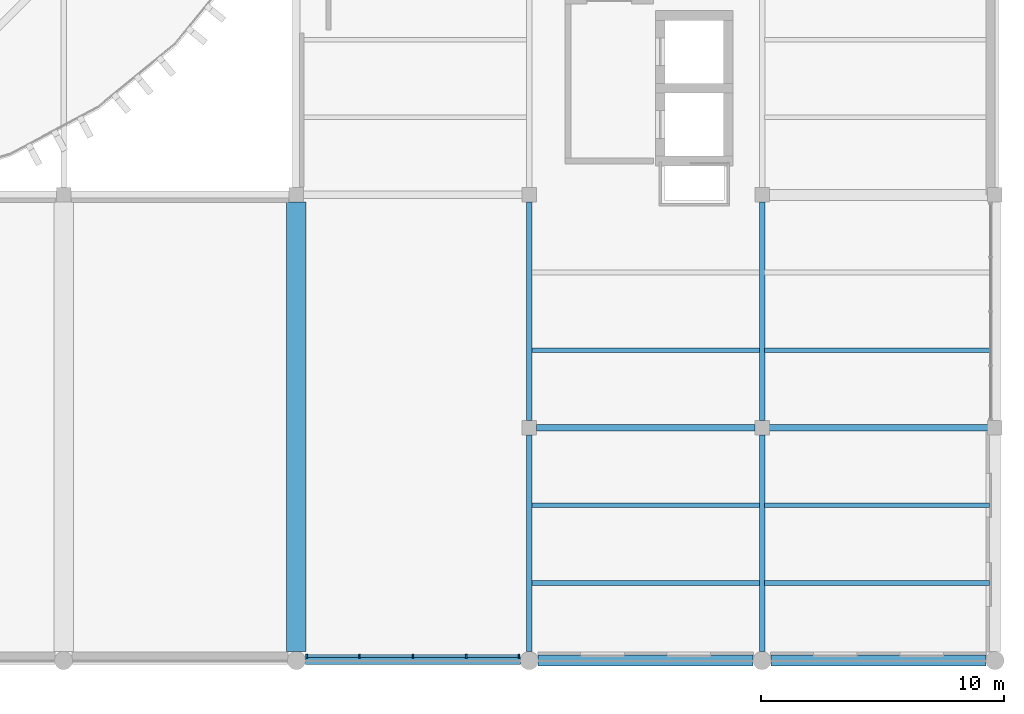
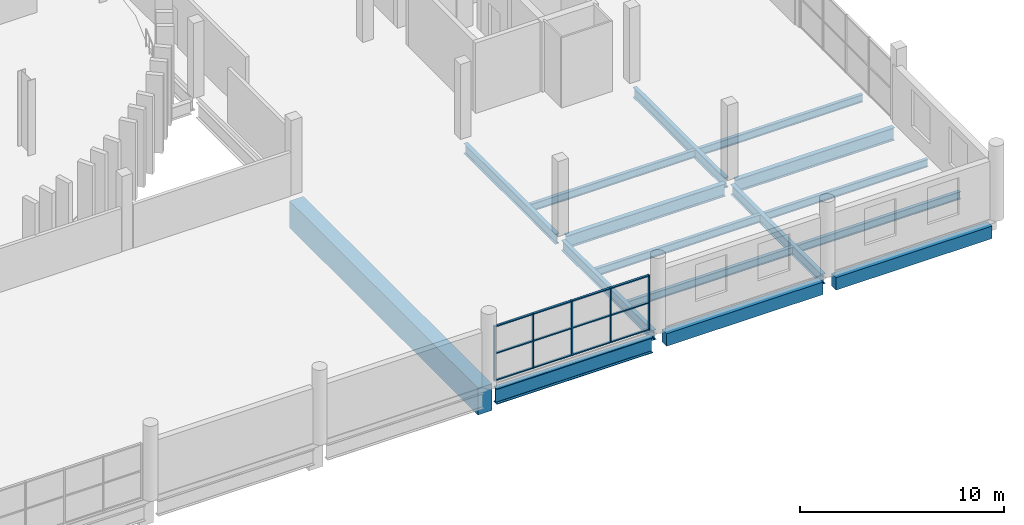
# One storey, part 26 of 92: 17 members, 16 beams, 1 element without a shape of its own.
"""IFC4 building model written with IfcOpenShell, lengths in metres."""

from ifc_helpers import new_model, si_unit, direction, frame, origin, origin_2d, place, context, subcontext, project, spatial, rectangle, i_section, extrude, material, layer, layer_set, material_profile, profile_set, type_object, element, aggregate, save


model = new_model("IFC4")

# Units and contexts
model_context = context("Model", 3, precision=1e-05, world=origin(), true_north=direction((0.0, 1.0)))
body_context = subcontext(model_context, "Body", "Model", "MODEL_VIEW")
ifc_project = project(units=[si_unit("LENGTHUNIT", "METRE"), si_unit("AREAUNIT", "SQUARE_METRE"), si_unit("VOLUMEUNIT", "CUBIC_METRE"), si_unit("PLANEANGLEUNIT", "RADIAN"), si_unit("MASSUNIT", "GRAM", prefix="KILO")], contexts=[model_context])

# Site, building, storey
site_placement = place(None, origin())
site = spatial("IfcSite", under=ifc_project, at=site_placement, CompositionType="ELEMENT")
building_placement = place(site_placement, origin())
building = spatial("IfcBuilding", under=site, at=building_placement, Name="Caelomonte Colonnade Arena", CompositionType="ELEMENT")
storey_placement = place(building_placement, frame((0.0, 0.0, 9.60009765625)))
storey = spatial("IfcBuildingStorey", under=building, at=storey_placement, Name="L02", CompositionType="ELEMENT", Elevation=9.60009765625)

# Curtain wall, members
ifc_material_1 = material(Name="Bronze anodised aluminium and low-E glazing", Category="aluminium")
ifc_layer = layer(ifc_material_1, 0.179931640625)
ifc_layer_set = layer_set([ifc_layer], Name="Bronze anodised aluminium and low-E glazing")
curtain_wall_type = type_object("IfcCurtainWallType", Name="ENV-CW-CW-L02-89-33", PredefinedType="USERDEFINED", material=ifc_layer_set)
curtain_wall_placement = place(storey_placement, origin())
curtain_wall = element("IfcCurtainWall", 1, at=curtain_wall_placement, inside=storey, type_object=curtain_wall_type, Name="L02 unitized curtain wall CW-L02-1680-0002", ObjectType="UNITIZED CURTAIN WALL", PredefinedType="USERDEFINED")
ifc_material_2 = material(Name="Bronze anodised aluminium AA6063-T6", Category="aluminium")
ifc_material_profile_1 = material_profile(ifc_material_2, rectangle(XDim=0.06494140625, YDim=0.14990234375, at=origin_2d()), Name="CWM-65X150")
ifc_profile_set_1 = profile_set([ifc_material_profile_1], Name="Bronze anodised aluminium AA6063-T6")
member_type_1 = type_object("IfcMemberType", Name="ENV-CW-MULL2", PredefinedType="MULLION", material=ifc_profile_set_1)
member_1_placement = place(storey_placement, frame((163.62744140625, 0.179931640625, 0.0), z_axis=(0.0, 0.0, 1.0), x_axis=(1.0, 0.0, 0.0)))
member_1 = element("IfcMember", 2, at=member_1_placement, type_object=member_type_1, Name="CW-L02-89-33 mullion 1", PredefinedType="MULLION", context=body_context, shape_type="SweptSolid", body=[
    extrude(rectangle(XDim=0.06494140625, YDim=0.14990234375, at=origin_2d()), origin(), (0.0, 0.0, 1.0), 3.29296875),
])
member_2_placement = place(storey_placement, frame((165.797607421875, 0.179931640625, 0.0), z_axis=(0.0, 0.0, 1.0), x_axis=(1.0, 0.0, 0.0)))
member_2 = element("IfcMember", 3, at=member_2_placement, type_object=member_type_1, Name="CW-L02-89-33 mullion 2", PredefinedType="MULLION", context=body_context, shape_type="SweptSolid", body=[
    extrude(rectangle(XDim=0.06494140625, YDim=0.14990234375, at=origin_2d()), origin(), (0.0, 0.0, 1.0), 3.29296875),
])
member_3_placement = place(storey_placement, frame((168.0, 0.179931640625, 0.0), z_axis=(0.0, 0.0, 1.0), x_axis=(1.0, 0.0, 0.0)))
member_3 = element("IfcMember", 4, at=member_3_placement, type_object=member_type_1, Name="CW-L02-89-33 mullion 3", PredefinedType="MULLION", context=body_context, shape_type="SweptSolid", body=[
    extrude(rectangle(XDim=0.06494140625, YDim=0.14990234375, at=origin_2d()), origin(), (0.0, 0.0, 1.0), 3.29296875),
])
member_4_placement = place(storey_placement, frame((170.202392578125, 0.179931640625, 0.0), z_axis=(0.0, 0.0, 1.0), x_axis=(1.0, 0.0, 0.0)))
member_4 = element("IfcMember", 5, at=member_4_placement, type_object=member_type_1, Name="CW-L02-89-33 mullion 4", PredefinedType="MULLION", context=body_context, shape_type="SweptSolid", body=[
    extrude(rectangle(XDim=0.06494140625, YDim=0.14990234375, at=origin_2d()), origin(), (0.0, 0.0, 1.0), 3.29296875),
])
member_5_placement = place(storey_placement, frame((172.37255859375, 0.179931640625, 0.0), z_axis=(0.0, 0.0, 1.0), x_axis=(1.0, 0.0, 0.0)))
member_5 = element("IfcMember", 6, at=member_5_placement, type_object=member_type_1, Name="CW-L02-89-33 mullion 5", PredefinedType="MULLION", context=body_context, shape_type="SweptSolid", body=[
    extrude(rectangle(XDim=0.06494140625, YDim=0.14990234375, at=origin_2d()), origin(), (0.0, 0.0, 1.0), 3.29296875),
])
ifc_material_profile_2 = material_profile(ifc_material_2, rectangle(XDim=0.06494140625, YDim=0.1201171875, at=origin_2d()), Name="CWT-65X120")
ifc_profile_set_2 = profile_set([ifc_material_profile_2], Name="Bronze anodised aluminium AA6063-T6")
member_type_2 = type_object("IfcMemberType", Name="ENV-CW-TRAN2", PredefinedType="USERDEFINED", material=ifc_profile_set_2)
member_6_placement = place(storey_placement, frame((163.659912109375, 0.179931640625, 0.032470703125), z_axis=(1.0, 0.0, 0.0), x_axis=(0.0, 0.0, 1.0)))
member_6 = element("IfcMember", 7, at=member_6_placement, type_object=member_type_2, Name="CW-L02-89-33 transom 1.1", ObjectType="TRANSOM", PredefinedType="USERDEFINED", context=body_context, shape_type="SweptSolid", body=[
    extrude(rectangle(XDim=0.06494140625, YDim=0.1201171875, at=origin_2d()), origin(), (0.0, 0.0, 1.0), 2.10498046875),
])
member_7_placement = place(storey_placement, frame((163.659912109375, 0.179931640625, 1.646484375), z_axis=(1.0, 0.0, 0.0), x_axis=(0.0, 0.0, 1.0)))
member_7 = element("IfcMember", 8, at=member_7_placement, type_object=member_type_2, Name="CW-L02-89-33 transom 1.2", ObjectType="TRANSOM", PredefinedType="USERDEFINED", context=body_context, shape_type="SweptSolid", body=[
    extrude(rectangle(XDim=0.06494140625, YDim=0.1201171875, at=origin_2d()), origin(), (0.0, 0.0, 1.0), 2.10498046875),
])
member_8_placement = place(storey_placement, frame((163.659912109375, 0.179931640625, 3.260498046875), z_axis=(1.0, 0.0, 0.0), x_axis=(0.0, 0.0, 1.0)))
member_8 = element("IfcMember", 9, at=member_8_placement, type_object=member_type_2, Name="CW-L02-89-33 transom 1.3", ObjectType="TRANSOM", PredefinedType="USERDEFINED", context=body_context, shape_type="SweptSolid", body=[
    extrude(rectangle(XDim=0.06494140625, YDim=0.1201171875, at=origin_2d()), origin(), (0.0, 0.0, 1.0), 2.10498046875),
])
member_9_placement = place(storey_placement, frame((165.830078125, 0.179931640625, 0.032470703125), z_axis=(1.0, 0.0, 0.0), x_axis=(0.0, 0.0, 1.0)))
member_9 = element("IfcMember", 10, at=member_9_placement, type_object=member_type_2, Name="CW-L02-89-33 transom 2.1", ObjectType="TRANSOM", PredefinedType="USERDEFINED", context=body_context, shape_type="SweptSolid", body=[
    extrude(rectangle(XDim=0.06494140625, YDim=0.1201171875, at=origin_2d()), origin(), (0.0, 0.0, 1.0), 2.137451171875),
])
member_10_placement = place(storey_placement, frame((165.830078125, 0.179931640625, 1.646484375), z_axis=(1.0, 0.0, 0.0), x_axis=(0.0, 0.0, 1.0)))
member_10 = element("IfcMember", 11, at=member_10_placement, type_object=member_type_2, Name="CW-L02-89-33 transom 2.2", ObjectType="TRANSOM", PredefinedType="USERDEFINED", context=body_context, shape_type="SweptSolid", body=[
    extrude(rectangle(XDim=0.06494140625, YDim=0.1201171875, at=origin_2d()), origin(), (0.0, 0.0, 1.0), 2.137451171875),
])
member_11_placement = place(storey_placement, frame((165.830078125, 0.179931640625, 3.260498046875), z_axis=(1.0, 0.0, 0.0), x_axis=(0.0, 0.0, 1.0)))
member_11 = element("IfcMember", 12, at=member_11_placement, type_object=member_type_2, Name="CW-L02-89-33 transom 2.3", ObjectType="TRANSOM", PredefinedType="USERDEFINED", context=body_context, shape_type="SweptSolid", body=[
    extrude(rectangle(XDim=0.06494140625, YDim=0.1201171875, at=origin_2d()), origin(), (0.0, 0.0, 1.0), 2.137451171875),
])
member_12_placement = place(storey_placement, frame((168.032470703125, 0.179931640625, 0.032470703125), z_axis=(1.0, 0.0, 0.0), x_axis=(0.0, 0.0, 1.0)))
member_12 = element("IfcMember", 13, at=member_12_placement, type_object=member_type_2, Name="CW-L02-89-33 transom 3.1", ObjectType="TRANSOM", PredefinedType="USERDEFINED", context=body_context, shape_type="SweptSolid", body=[
    extrude(rectangle(XDim=0.06494140625, YDim=0.1201171875, at=origin_2d()), origin(), (0.0, 0.0, 1.0), 2.137451171875),
])
member_13_placement = place(storey_placement, frame((168.032470703125, 0.179931640625, 1.646484375), z_axis=(1.0, 0.0, 0.0), x_axis=(0.0, 0.0, 1.0)))
member_13 = element("IfcMember", 14, at=member_13_placement, type_object=member_type_2, Name="CW-L02-89-33 transom 3.2", ObjectType="TRANSOM", PredefinedType="USERDEFINED", context=body_context, shape_type="SweptSolid", body=[
    extrude(rectangle(XDim=0.06494140625, YDim=0.1201171875, at=origin_2d()), origin(), (0.0, 0.0, 1.0), 2.137451171875),
])
member_14_placement = place(storey_placement, frame((168.032470703125, 0.179931640625, 3.260498046875), z_axis=(1.0, 0.0, 0.0), x_axis=(0.0, 0.0, 1.0)))
member_14 = element("IfcMember", 15, at=member_14_placement, type_object=member_type_2, Name="CW-L02-89-33 transom 3.3", ObjectType="TRANSOM", PredefinedType="USERDEFINED", context=body_context, shape_type="SweptSolid", body=[
    extrude(rectangle(XDim=0.06494140625, YDim=0.1201171875, at=origin_2d()), origin(), (0.0, 0.0, 1.0), 2.137451171875),
])
member_15_placement = place(storey_placement, frame((170.235107421875, 0.179931640625, 0.032470703125), z_axis=(1.0, 0.0, 0.0), x_axis=(0.0, 0.0, 1.0)))
member_15 = element("IfcMember", 16, at=member_15_placement, type_object=member_type_2, Name="CW-L02-89-33 transom 4.1", ObjectType="TRANSOM", PredefinedType="USERDEFINED", context=body_context, shape_type="SweptSolid", body=[
    extrude(rectangle(XDim=0.06494140625, YDim=0.1201171875, at=origin_2d()), origin(), (0.0, 0.0, 1.0), 2.10498046875),
])
member_16_placement = place(storey_placement, frame((170.235107421875, 0.179931640625, 1.646484375), z_axis=(1.0, 0.0, 0.0), x_axis=(0.0, 0.0, 1.0)))
member_16 = element("IfcMember", 17, at=member_16_placement, type_object=member_type_2, Name="CW-L02-89-33 transom 4.2", ObjectType="TRANSOM", PredefinedType="USERDEFINED", context=body_context, shape_type="SweptSolid", body=[
    extrude(rectangle(XDim=0.06494140625, YDim=0.1201171875, at=origin_2d()), origin(), (0.0, 0.0, 1.0), 2.10498046875),
])
member_17_placement = place(storey_placement, frame((170.235107421875, 0.179931640625, 3.260498046875), z_axis=(1.0, 0.0, 0.0), x_axis=(0.0, 0.0, 1.0)))
member_17 = element("IfcMember", 18, at=member_17_placement, type_object=member_type_2, Name="CW-L02-89-33 transom 4.3", ObjectType="TRANSOM", PredefinedType="USERDEFINED", context=body_context, shape_type="SweptSolid", body=[
    extrude(rectangle(XDim=0.06494140625, YDim=0.1201171875, at=origin_2d()), origin(), (0.0, 0.0, 1.0), 2.10498046875),
])
aggregate(curtain_wall, [member_1, member_2, member_3, member_4, member_5, member_6, member_7, member_8, member_9, member_10, member_11, member_12, member_13, member_14, member_15, member_16, member_17])

# Beams
ifc_material_3 = material(Name="Wide-flange steel ASTM A992 Grade 50", Category="steel")
ifc_material_profile_3 = material_profile(ifc_material_3, i_section(OverallWidth=0.307861328125, OverallDepth=0.927001953125, WebThickness=0.019287109375, FlangeThickness=0.031982421875, FilletRadius=0.020263671875, at=origin_2d()), Name="W36X194")
ifc_profile_set_3 = profile_set([ifc_material_profile_3], Name="Wide-flange steel ASTM A992 Grade 50")
beam_type_1 = type_object("IfcBeamType", Name="STR-BM-EAVES2", PredefinedType="SPANDREL", material=ifc_profile_set_3)
beam_1_placement = place(storey_placement, frame((163.56689453125, 0.0, -0.74365234375), z_axis=(1.0, 0.0, 0.0), x_axis=(0.0, 1.0, 0.0)))
element("IfcBeam", 19, at=beam_1_placement, inside=storey, type_object=beam_type_1, Name="L02 girder BMX-L02-1632-0000", PredefinedType="SPANDREL", context=body_context, shape_type="SweptSolid", body=[
    extrude(i_section(OverallWidth=0.307861328125, OverallDepth=0.927001953125, WebThickness=0.019287109375, FlangeThickness=0.031982421875, FilletRadius=0.020263671875, at=origin_2d()), origin(), (0.0, 0.0, 1.0), 8.8662109375),
])
ifc_material_profile_4 = material_profile(ifc_material_3, i_section(OverallWidth=0.228271484375, OverallDepth=0.607177734375, WebThickness=0.01123046875, FlangeThickness=0.017333984375, FilletRadius=0.0126953125, at=origin_2d()), Name="W24X76")
ifc_profile_set_4 = profile_set([ifc_material_profile_4], Name="Wide-flange steel ASTM A992 Grade 50")
beam_type_2 = type_object("IfcBeamType", Name="STR-BM-GIRD24", PredefinedType="BEAM", material=ifc_profile_set_4)
beam_2_placement = place(storey_placement, frame((172.800048828125, 0.366943359375, -0.58349609375), z_axis=(0.0, 1.0, 0.0), x_axis=(-1.0, 0.0, 0.0)))
element("IfcBeam", 20, at=beam_2_placement, inside=storey, type_object=beam_type_2, Name="L02 girder BMY-L02-1728-0000", PredefinedType="BEAM", context=body_context, shape_type="SweptSolid", body=[
    extrude(i_section(OverallWidth=0.228271484375, OverallDepth=0.607177734375, WebThickness=0.01123046875, FlangeThickness=0.017333984375, FilletRadius=0.0126953125, at=origin_2d()), origin(), (0.0, 0.0, 1.0), 8.941162109375),
])
beam_3_placement = place(storey_placement, frame((172.800048828125, 9.89208984375, -0.58349609375), z_axis=(0.0, 1.0, 0.0), x_axis=(-1.0, 0.0, 0.0)))
element("IfcBeam", 21, at=beam_3_placement, inside=storey, type_object=beam_type_2, Name="L02 girder BMY-L02-1728-0096", PredefinedType="BEAM", context=body_context, shape_type="SweptSolid", body=[
    extrude(i_section(OverallWidth=0.228271484375, OverallDepth=0.607177734375, WebThickness=0.01123046875, FlangeThickness=0.017333984375, FilletRadius=0.0126953125, at=origin_2d()), origin(), (0.0, 0.0, 1.0), 9.015869140625),
])
beam_4_placement = place(storey_placement, frame((182.39990234375, 0.366943359375, -0.58349609375), z_axis=(0.0, 1.0, 0.0), x_axis=(-1.0, 0.0, 0.0)))
element("IfcBeam", 22, at=beam_4_placement, inside=storey, type_object=beam_type_2, Name="L02 girder BMY-L02-1824-0000", PredefinedType="BEAM", context=body_context, shape_type="SweptSolid", body=[
    extrude(i_section(OverallWidth=0.228271484375, OverallDepth=0.607177734375, WebThickness=0.01123046875, FlangeThickness=0.017333984375, FilletRadius=0.0126953125, at=origin_2d()), origin(), (0.0, 0.0, 1.0), 8.941162109375),
])
beam_5_placement = place(storey_placement, frame((182.39990234375, 9.89208984375, -0.58349609375), z_axis=(0.0, 1.0, 0.0), x_axis=(-1.0, 0.0, 0.0)))
element("IfcBeam", 23, at=beam_5_placement, inside=storey, type_object=beam_type_2, Name="L02 girder BMY-L02-1824-0096", PredefinedType="BEAM", context=body_context, shape_type="SweptSolid", body=[
    extrude(i_section(OverallWidth=0.228271484375, OverallDepth=0.607177734375, WebThickness=0.01123046875, FlangeThickness=0.017333984375, FilletRadius=0.0126953125, at=origin_2d()), origin(), (0.0, 0.0, 1.0), 9.015869140625),
])
ifc_material_profile_5 = material_profile(ifc_material_3, i_section(OverallWidth=0.2666015625, OverallDepth=0.761962890625, WebThickness=0.014404296875, FlangeThickness=0.021484375, FilletRadius=0.0166015625, at=origin_2d()), Name="W30X116")
ifc_profile_set_5 = profile_set([ifc_material_profile_5], Name="Wide-flange steel ASTM A992 Grade 50")
beam_type_3 = type_object("IfcBeamType", Name="STR-BM-GIRD30", PredefinedType="BEAM", material=ifc_profile_set_5)
beam_6_placement = place(storey_placement, frame((173.092041015625, 9.60009765625, -0.6611328125), z_axis=(1.0, 0.0, 0.0), x_axis=(0.0, 1.0, 0.0)))
element("IfcBeam", 24, at=beam_6_placement, inside=storey, type_object=beam_type_3, Name="L02 girder BMX-L02-1728-0096", PredefinedType="BEAM", context=body_context, shape_type="SweptSolid", body=[
    extrude(i_section(OverallWidth=0.2666015625, OverallDepth=0.761962890625, WebThickness=0.014404296875, FlangeThickness=0.021484375, FilletRadius=0.0166015625, at=origin_2d()), origin(), (0.0, 0.0, 1.0), 9.015869140625),
])
beam_7_placement = place(storey_placement, frame((182.69189453125, 9.60009765625, -0.6611328125), z_axis=(1.0, 0.0, 0.0), x_axis=(0.0, 1.0, 0.0)))
element("IfcBeam", 25, at=beam_7_placement, inside=storey, type_object=beam_type_3, Name="L02 girder BMX-L02-1824-0096", PredefinedType="BEAM", context=body_context, shape_type="SweptSolid", body=[
    extrude(i_section(OverallWidth=0.2666015625, OverallDepth=0.761962890625, WebThickness=0.014404296875, FlangeThickness=0.021484375, FilletRadius=0.0166015625, at=origin_2d()), origin(), (0.0, 0.0, 1.0), 9.01611328125),
])
ifc_material_profile_6 = material_profile(ifc_material_3, i_section(OverallWidth=0.1904296875, OverallDepth=0.457275390625, WebThickness=0.009033203125, FlangeThickness=0.014404296875, FilletRadius=0.01025390625, at=origin_2d()), Name="W18X50")
ifc_profile_set_6 = profile_set([ifc_material_profile_6], Name="Wide-flange steel ASTM A992 Grade 50")
beam_type_4 = type_object("IfcBeamType", Name="STR-BM-JOIST18", PredefinedType="JOIST", material=ifc_profile_set_6)
for number, where, z_axis, x_axis, name in (
    (26, (172.9091796875, 3.199951171875, -0.5087890625), (1.0, 0.0, 0.0), (0.0, 1.0, 0.0), "L02 secondary joist 1"),
    (27, (172.9091796875, 6.39990234375, -0.5087890625), (1.0, 0.0, 0.0), (0.0, 1.0, 0.0), "L02 secondary joist 2"),
    (28, (172.9091796875, 12.800048828125, -0.5087890625), (1.0, 0.0, 0.0), (0.0, 1.0, 0.0), "L02 secondary joist 1"),
):
    element("IfcBeam", number, at=place(storey_placement, frame(where, z_axis=z_axis, x_axis=x_axis)), inside=storey, type_object=beam_type_4, Name=name, PredefinedType="JOIST", context=body_context, shape_type="SweptSolid", body=[
        extrude(i_section(OverallWidth=0.1904296875, OverallDepth=0.457275390625, WebThickness=0.009033203125, FlangeThickness=0.014404296875, FilletRadius=0.01025390625, at=origin_2d()), origin(), (0.0, 0.0, 1.0), 9.3818359375),
    ])
for number, where, z_axis, x_axis, name in (
    (29, (182.50927734375, 3.199951171875, -0.5087890625), (1.0, 0.0, 0.0), (0.0, 1.0, 0.0), "L02 secondary joist 1"),
    (30, (182.50927734375, 6.39990234375, -0.5087890625), (1.0, 0.0, 0.0), (0.0, 1.0, 0.0), "L02 secondary joist 2"),
    (31, (182.50927734375, 12.800048828125, -0.5087890625), (1.0, 0.0, 0.0), (0.0, 1.0, 0.0), "L02 secondary joist 1"),
):
    element("IfcBeam", number, at=place(storey_placement, frame(where, z_axis=z_axis, x_axis=x_axis)), inside=storey, type_object=beam_type_4, Name=name, PredefinedType="JOIST", context=body_context, shape_type="SweptSolid", body=[
        extrude(i_section(OverallWidth=0.1904296875, OverallDepth=0.457275390625, WebThickness=0.009033203125, FlangeThickness=0.014404296875, FilletRadius=0.01025390625, at=origin_2d()), origin(), (0.0, 0.0, 1.0), 9.270751953125),
    ])
ifc_material_4 = material(Name="Concrete C40/50", Category="concrete")
ifc_material_profile_7 = material_profile(ifc_material_4, rectangle(XDim=0.449951171875, YDim=0.75, at=origin_2d()), Name="RC450X750")
ifc_profile_set_7 = profile_set([ifc_material_profile_7], Name="Concrete C40/50")
beam_type_5 = type_object("IfcBeamType", Name="STR-BM-SPAN24", PredefinedType="SPANDREL", material=ifc_profile_set_7)
for number, where, z_axis, x_axis, name in (
    (32, (173.1669921875, 0.0, -0.655029296875), (1.0, 0.0, 0.0), (0.0, 1.0, 0.0), "L02 girder BMX-L02-1728-0000"),
    (33, (182.76708984375, 0.0, -0.655029296875), (1.0, 0.0, 0.0), (0.0, 1.0, 0.0), "L02 girder BMX-L02-1824-0000"),
):
    element("IfcBeam", number, at=place(storey_placement, frame(where, z_axis=z_axis, x_axis=x_axis)), inside=storey, type_object=beam_type_5, Name=name, PredefinedType="SPANDREL", context=body_context, shape_type="SweptSolid", body=[
        extrude(rectangle(XDim=0.449951171875, YDim=0.75, at=origin_2d()), origin(), (0.0, 0.0, 1.0), 8.865966796875),
    ])
ifc_material_5 = material(Name="Concrete C50/60", Category="concrete")
ifc_material_profile_8 = material_profile(ifc_material_5, rectangle(XDim=0.800048828125, YDim=1.60009765625, at=origin_2d()), Name="RC800X1600")
ifc_profile_set_8 = profile_set([ifc_material_profile_8], Name="Concrete C50/60")
beam_type_6 = type_object("IfcBeamType", Name="STR-BM-TG16", PredefinedType="USERDEFINED", material=ifc_profile_set_8)
beam_8_placement = place(storey_placement, frame((163.199951171875, 0.366943359375, -1.080078125), z_axis=(0.0, 1.0, 0.0), x_axis=(-1.0, 0.0, 0.0)))
element("IfcBeam", 34, at=beam_8_placement, inside=storey, type_object=beam_type_6, Name="L02 Transfer Girder BMY-L02-1632-0000", ObjectType="TRANSFER GIRDER", PredefinedType="USERDEFINED", context=body_context, shape_type="SweptSolid", body=[
    extrude(rectangle(XDim=0.800048828125, YDim=1.60009765625, at=origin_2d()), origin(), (0.0, 0.0, 1.0), 18.541015625),
])

save(model, "model.ifc")
